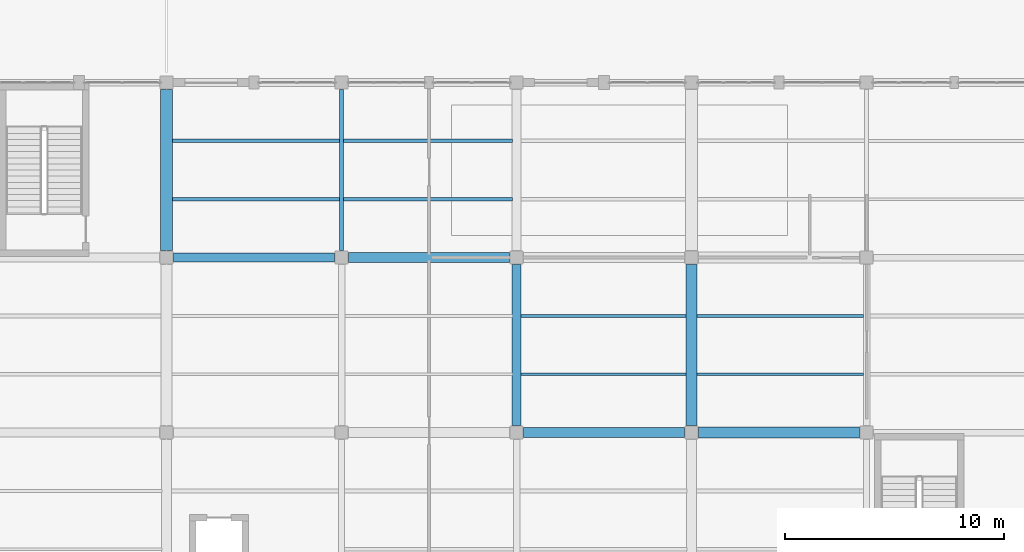
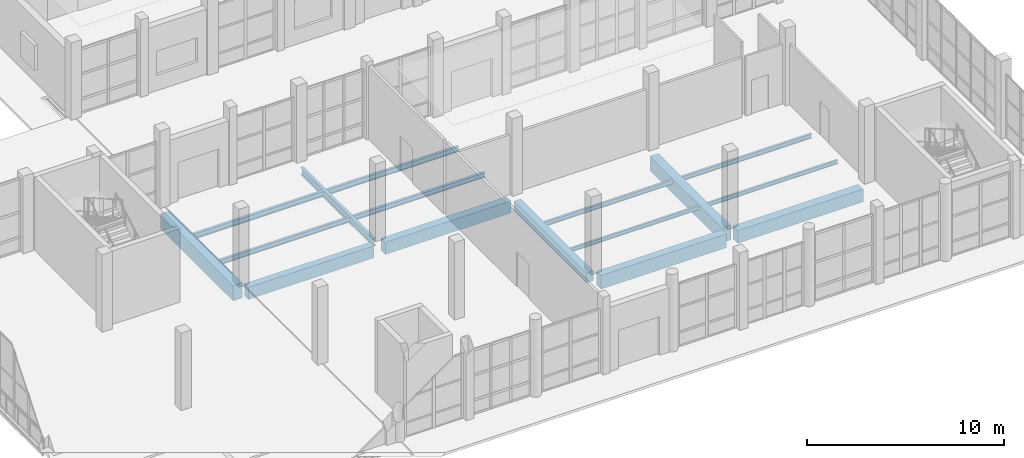
# One storey, part 63 of 156: 16 beams.
"""IFC4 building model written with IfcOpenShell, lengths in metres."""

from ifc_helpers import new_model, si_unit, direction, frame, origin, origin_2d, place, context, subcontext, project, spatial, rectangle, i_section, extrude, material, material_profile, profile_set, type_object, element, save


model = new_model("IFC4")

# Units and contexts
model_context = context("Model", 3, precision=1e-05, world=origin(), true_north=direction((0.0, 1.0)))
body_context = subcontext(model_context, "Body", "Model", "MODEL_VIEW")
ifc_project = project(units=[si_unit("LENGTHUNIT", "METRE"), si_unit("AREAUNIT", "SQUARE_METRE"), si_unit("VOLUMEUNIT", "CUBIC_METRE"), si_unit("PLANEANGLEUNIT", "RADIAN"), si_unit("MASSUNIT", "GRAM", prefix="KILO")], contexts=[model_context])

# Site, building, storey
site_placement = place(None, origin())
site = spatial("IfcSite", under=ifc_project, at=site_placement, CompositionType="ELEMENT")
building_placement = place(site_placement, origin())
building = spatial("IfcBuilding", under=site, at=building_placement, Name="Luwemba Playhouse", CompositionType="ELEMENT")
storey_placement = place(building_placement, origin())
storey = spatial("IfcBuildingStorey", under=building, at=storey_placement, Name="L00", CompositionType="ELEMENT", Elevation=0.0)

# Beams
ifc_material_1 = material(Name="Concrete C40/50", Category="concrete")
ifc_material_profile_1 = material_profile(ifc_material_1, rectangle(XDim=0.39990234375, YDim=0.60009765625, at=origin_2d()))
ifc_profile_set_1 = profile_set([ifc_material_profile_1], Name="Concrete C40/50")
beam_type_1 = type_object("IfcBeamType", Name="BM-RB01", PredefinedType="BEAM", material=ifc_profile_set_1)
beam_1_placement = place(storey_placement, frame((148.0, 11.324951171875, -0.60009765625), z_axis=(0.0, 1.0, 0.0), x_axis=(-1.0, 0.0, 0.0)))
element("IfcBeam", 1, at=beam_1_placement, inside=storey, type_object=beam_type_1, Name="L00 transverse girder 0243", PredefinedType="BEAM", context=body_context, shape_type="SweptSolid", body=[
    extrude(rectangle(XDim=0.39990234375, YDim=0.60009765625, at=origin_2d()), origin(), (0.0, 0.0, 1.0), 7.35009765625),
])
ifc_material_profile_2 = material_profile(ifc_material_1, rectangle(XDim=0.39990234375, YDim=0.75, at=origin_2d()))
ifc_profile_set_2 = profile_set([ifc_material_profile_2], Name="Concrete C40/50")
beam_type_2 = type_object("IfcBeamType", Name="BM-RB03", PredefinedType="BEAM", material=ifc_profile_set_2)
beam_2_placement = place(storey_placement, frame((132.324951171875, 19.0, -0.675048828125), z_axis=(1.0, 0.0, 0.0), x_axis=(0.0, 1.0, 0.0)))
element("IfcBeam", 2, at=beam_2_placement, inside=storey, type_object=beam_type_2, Name="L00 grid girder 0218", PredefinedType="BEAM", context=body_context, shape_type="SweptSolid", body=[
    extrude(rectangle(XDim=0.39990234375, YDim=0.75, at=origin_2d()), origin(), (0.0, 0.0, 1.0), 7.35009765625),
])
ifc_material_profile_3 = material_profile(ifc_material_1, rectangle(XDim=0.449951171875, YDim=0.75, at=origin_2d()))
ifc_profile_set_3 = profile_set([ifc_material_profile_3], Name="Concrete C40/50")
beam_type_3 = type_object("IfcBeamType", Name="BM-RB04", PredefinedType="BEAM", material=ifc_profile_set_3)
beam_3_placement = place(storey_placement, frame((140.324951171875, 19.0, -0.675048828125), z_axis=(1.0, 0.0, 0.0), x_axis=(0.0, 1.0, 0.0)))
element("IfcBeam", 3, at=beam_3_placement, inside=storey, type_object=beam_type_3, Name="L00 grid girder 0219", PredefinedType="BEAM", context=body_context, shape_type="SweptSolid", body=[
    extrude(rectangle(XDim=0.449951171875, YDim=0.75, at=origin_2d()), origin(), (0.0, 0.0, 1.0), 7.35009765625),
])
ifc_material_profile_4 = material_profile(ifc_material_1, rectangle(XDim=0.449951171875, YDim=0.85009765625, at=origin_2d()))
ifc_profile_set_4 = profile_set([ifc_material_profile_4], Name="Concrete C40/50")
beam_type_4 = type_object("IfcBeamType", Name="BM-RB05", PredefinedType="BEAM", material=ifc_profile_set_4)
beam_4_placement = place(storey_placement, frame((148.324951171875, 11.0, -0.72509765625), z_axis=(1.0, 0.0, 0.0), x_axis=(0.0, 1.0, 0.0)))
element("IfcBeam", 4, at=beam_4_placement, inside=storey, type_object=beam_type_4, Name="L00 grid girder 0213", PredefinedType="BEAM", context=body_context, shape_type="SweptSolid", body=[
    extrude(rectangle(XDim=0.449951171875, YDim=0.85009765625, at=origin_2d()), origin(), (0.0, 0.0, 1.0), 7.35009765625),
])
ifc_material_profile_5 = material_profile(ifc_material_1, rectangle(XDim=0.5, YDim=0.800048828125, at=origin_2d()))
ifc_profile_set_5 = profile_set([ifc_material_profile_5], Name="Concrete C40/50")
beam_type_5 = type_object("IfcBeamType", Name="BM-RB06", PredefinedType="BEAM", material=ifc_profile_set_5)
beam_5_placement = place(storey_placement, frame((156.324951171875, 11.0, -0.699951171875), z_axis=(1.0, 0.0, 0.0), x_axis=(0.0, 1.0, 0.0)))
element("IfcBeam", 5, at=beam_5_placement, inside=storey, type_object=beam_type_5, Name="L00 grid girder 0214", PredefinedType="BEAM", context=body_context, shape_type="SweptSolid", body=[
    extrude(rectangle(XDim=0.5, YDim=0.800048828125, at=origin_2d()), origin(), (0.0, 0.0, 1.0), 7.35009765625),
])
ifc_material_profile_6 = material_profile(ifc_material_1, rectangle(XDim=0.5, YDim=0.89990234375, at=origin_2d()))
ifc_profile_set_6 = profile_set([ifc_material_profile_6], Name="Concrete C40/50")
beam_type_6 = type_object("IfcBeamType", Name="BM-RB07", PredefinedType="BEAM", material=ifc_profile_set_6)
beam_6_placement = place(storey_placement, frame((156.0, 11.324951171875, -0.75), z_axis=(0.0, 1.0, 0.0), x_axis=(-1.0, 0.0, 0.0)))
element("IfcBeam", 6, at=beam_6_placement, inside=storey, type_object=beam_type_6, Name="L00 transverse girder 0246", PredefinedType="BEAM", context=body_context, shape_type="SweptSolid", body=[
    extrude(rectangle(XDim=0.5, YDim=0.89990234375, at=origin_2d()), origin(), (0.0, 0.0, 1.0), 7.35009765625),
])
ifc_material_profile_7 = material_profile(ifc_material_1, rectangle(XDim=0.550048828125, YDim=0.949951171875, at=origin_2d()))
ifc_profile_set_7 = profile_set([ifc_material_profile_7], Name="Concrete C40/50")
beam_type_7 = type_object("IfcBeamType", Name="BM-RB08", PredefinedType="BEAM", material=ifc_profile_set_7)
beam_7_placement = place(storey_placement, frame((132.0, 19.324951171875, -0.77490234375), z_axis=(0.0, 1.0, 0.0), x_axis=(-1.0, 0.0, 0.0)))
element("IfcBeam", 7, at=beam_7_placement, inside=storey, type_object=beam_type_7, Name="L00 transverse girder 0238", PredefinedType="BEAM", context=body_context, shape_type="SweptSolid", body=[
    extrude(rectangle(XDim=0.550048828125, YDim=0.949951171875, at=origin_2d()), origin(), (0.0, 0.0, 1.0), 7.35009765625),
])
ifc_material_2 = material(Name="Steel S355", Category="steel")
ifc_material_profile_8 = material_profile(ifc_material_2, i_section(OverallWidth=0.18994140625, OverallDepth=0.449951171875, WebThickness=0.009521484375, FlangeThickness=0.0146484375, FilletRadius=0.02099609375, at=origin_2d()))
ifc_profile_set_8 = profile_set([ifc_material_profile_8], Name="Steel S355")
beam_type_8 = type_object("IfcBeamType", Name="BM-SB06", PredefinedType="BEAM", material=ifc_profile_set_8)
beam_8_placement = place(storey_placement, frame((140.0, 19.324951171875, -0.52490234375), z_axis=(0.0, 1.0, 0.0), x_axis=(-1.0, 0.0, 0.0)))
element("IfcBeam", 8, at=beam_8_placement, inside=storey, type_object=beam_type_8, Name="L00 transverse girder 0241", PredefinedType="BEAM", context=body_context, shape_type="SweptSolid", body=[
    extrude(i_section(OverallWidth=0.18994140625, OverallDepth=0.449951171875, WebThickness=0.009521484375, FlangeThickness=0.0146484375, FilletRadius=0.02099609375, at=origin_2d()), origin(), (0.0, 0.0, 1.0), 7.35009765625),
])
ifc_material_profile_9 = material_profile(ifc_material_2, i_section(OverallWidth=0.1201171875, OverallDepth=0.239990234375, WebThickness=0.006103515625, FlangeThickness=0.009765625, FilletRadius=0.014892578125, at=origin_2d()))
ifc_profile_set_9 = profile_set([ifc_material_profile_9], Name="Steel S355")
beam_type_9 = type_object("IfcBeamType", Name="BM-SJ03", PredefinedType="JOIST", material=ifc_profile_set_9)
beam_9_placement = place(storey_placement, frame((148.196044921875, 13.666748046875, -0.419921875), z_axis=(1.0, 0.0, 0.0), x_axis=(0.0, 1.0, 0.0)))
element("IfcBeam", 9, at=beam_9_placement, inside=storey, type_object=beam_type_9, Name="L00 composite floor joist 0179", PredefinedType="JOIST", context=body_context, shape_type="SweptSolid", body=[
    extrude(i_section(OverallWidth=0.1201171875, OverallDepth=0.239990234375, WebThickness=0.006103515625, FlangeThickness=0.009765625, FilletRadius=0.014892578125, at=origin_2d()), origin(), (0.0, 0.0, 1.0), 7.557861328125),
])
beam_10_placement = place(storey_placement, frame((156.24609375, 13.666748046875, -0.419921875), z_axis=(1.0, 0.0, 0.0), x_axis=(0.0, 1.0, 0.0)))
element("IfcBeam", 10, at=beam_10_placement, inside=storey, type_object=beam_type_9, Name="L00 composite floor joist 0185", PredefinedType="JOIST", context=body_context, shape_type="SweptSolid", body=[
    extrude(i_section(OverallWidth=0.1201171875, OverallDepth=0.239990234375, WebThickness=0.006103515625, FlangeThickness=0.009765625, FilletRadius=0.014892578125, at=origin_2d()), origin(), (0.0, 0.0, 1.0), 7.60791015625),
])
ifc_material_profile_10 = material_profile(ifc_material_2, i_section(OverallWidth=0.135009765625, OverallDepth=0.27001953125, WebThickness=0.006591796875, FlangeThickness=0.01025390625, FilletRadius=0.014892578125, at=origin_2d()))
ifc_profile_set_10 = profile_set([ifc_material_profile_10], Name="Steel S355")
beam_type_10 = type_object("IfcBeamType", Name="BM-SJ04", PredefinedType="JOIST", material=ifc_profile_set_10)
beam_11_placement = place(storey_placement, frame((148.196044921875, 16.333251953125, -0.43505859375), z_axis=(1.0, 0.0, 0.0), x_axis=(0.0, 1.0, 0.0)))
element("IfcBeam", 11, at=beam_11_placement, inside=storey, type_object=beam_type_10, Name="L00 composite floor joist 0180", PredefinedType="JOIST", context=body_context, shape_type="SweptSolid", body=[
    extrude(i_section(OverallWidth=0.135009765625, OverallDepth=0.27001953125, WebThickness=0.006591796875, FlangeThickness=0.01025390625, FilletRadius=0.014892578125, at=origin_2d()), origin(), (0.0, 0.0, 1.0), 7.557861328125),
])
beam_12_placement = place(storey_placement, frame((156.24609375, 16.333251953125, -0.43505859375), z_axis=(1.0, 0.0, 0.0), x_axis=(0.0, 1.0, 0.0)))
element("IfcBeam", 12, at=beam_12_placement, inside=storey, type_object=beam_type_10, Name="L00 composite floor joist 0186", PredefinedType="JOIST", context=body_context, shape_type="SweptSolid", body=[
    extrude(i_section(OverallWidth=0.135009765625, OverallDepth=0.27001953125, WebThickness=0.006591796875, FlangeThickness=0.01025390625, FilletRadius=0.014892578125, at=origin_2d()), origin(), (0.0, 0.0, 1.0), 7.60791015625),
])
ifc_material_profile_11 = material_profile(ifc_material_2, i_section(OverallWidth=0.14990234375, OverallDepth=0.300048828125, WebThickness=0.007080078125, FlangeThickness=0.0107421875, FilletRadius=0.014892578125, at=origin_2d()))
ifc_profile_set_11 = profile_set([ifc_material_profile_11], Name="Steel S355")
beam_type_11 = type_object("IfcBeamType", Name="BM-SJ05", PredefinedType="JOIST", material=ifc_profile_set_11)
beam_13_placement = place(storey_placement, frame((132.27099609375, 21.666748046875, -0.449951171875), z_axis=(1.0, 0.0, 0.0), x_axis=(0.0, 1.0, 0.0)))
element("IfcBeam", 13, at=beam_13_placement, inside=storey, type_object=beam_type_11, Name="L00 composite floor joist 0169", PredefinedType="JOIST", context=body_context, shape_type="SweptSolid", body=[
    extrude(i_section(OverallWidth=0.14990234375, OverallDepth=0.300048828125, WebThickness=0.007080078125, FlangeThickness=0.0107421875, FilletRadius=0.014892578125, at=origin_2d()), origin(), (0.0, 0.0, 1.0), 7.637939453125),
])
beam_14_placement = place(storey_placement, frame((140.091064453125, 21.666748046875, -0.449951171875), z_axis=(1.0, 0.0, 0.0), x_axis=(0.0, 1.0, 0.0)))
element("IfcBeam", 14, at=beam_14_placement, inside=storey, type_object=beam_type_11, Name="L00 composite floor joist 0175", PredefinedType="JOIST", context=body_context, shape_type="SweptSolid", body=[
    extrude(i_section(OverallWidth=0.14990234375, OverallDepth=0.300048828125, WebThickness=0.007080078125, FlangeThickness=0.0107421875, FilletRadius=0.014892578125, at=origin_2d()), origin(), (0.0, 0.0, 1.0), 7.712890625),
])
ifc_material_profile_12 = material_profile(ifc_material_2, i_section(OverallWidth=0.159912109375, OverallDepth=0.330078125, WebThickness=0.007568359375, FlangeThickness=0.011474609375, FilletRadius=0.01806640625, at=origin_2d()))
ifc_profile_set_12 = profile_set([ifc_material_profile_12], Name="Steel S355")
beam_type_12 = type_object("IfcBeamType", Name="BM-SJ06", PredefinedType="JOIST", material=ifc_profile_set_12)
beam_15_placement = place(storey_placement, frame((132.27099609375, 24.333251953125, -0.465087890625), z_axis=(1.0, 0.0, 0.0), x_axis=(0.0, 1.0, 0.0)))
element("IfcBeam", 15, at=beam_15_placement, inside=storey, type_object=beam_type_12, Name="L00 composite floor joist 0170", PredefinedType="JOIST", context=body_context, shape_type="SweptSolid", body=[
    extrude(i_section(OverallWidth=0.159912109375, OverallDepth=0.330078125, WebThickness=0.007568359375, FlangeThickness=0.011474609375, FilletRadius=0.01806640625, at=origin_2d()), origin(), (0.0, 0.0, 1.0), 7.637939453125),
])
beam_16_placement = place(storey_placement, frame((140.091064453125, 24.333251953125, -0.465087890625), z_axis=(1.0, 0.0, 0.0), x_axis=(0.0, 1.0, 0.0)))
element("IfcBeam", 16, at=beam_16_placement, inside=storey, type_object=beam_type_12, Name="L00 composite floor joist 0176", PredefinedType="JOIST", context=body_context, shape_type="SweptSolid", body=[
    extrude(i_section(OverallWidth=0.159912109375, OverallDepth=0.330078125, WebThickness=0.007568359375, FlangeThickness=0.011474609375, FilletRadius=0.01806640625, at=origin_2d()), origin(), (0.0, 0.0, 1.0), 7.712890625),
])

save(model, "model.ifc")
